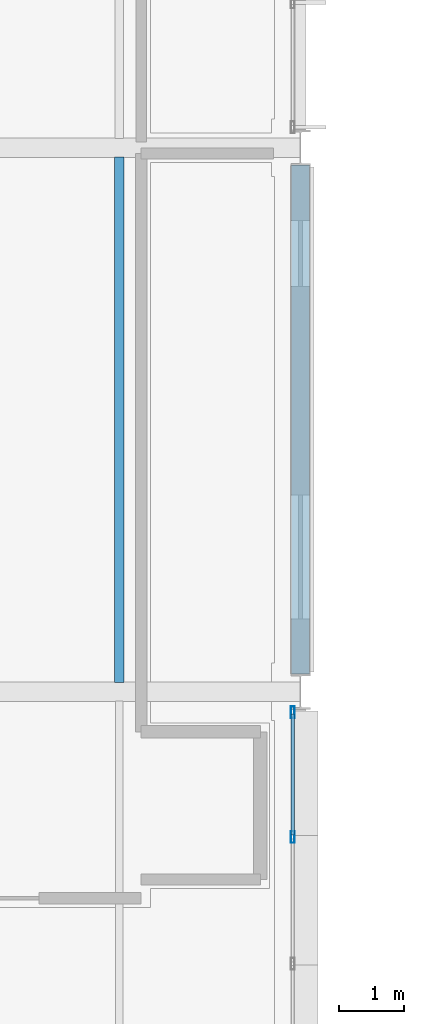
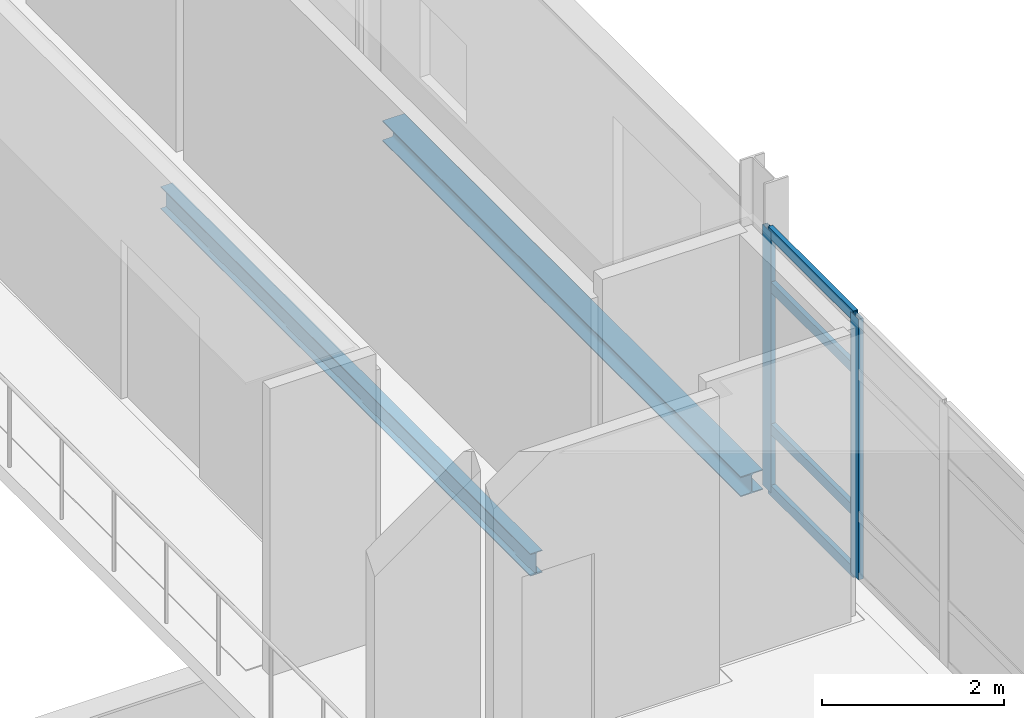
# One storey, part 33 of 131: 6 members, 2 beams, 1 element without a shape of its own.
"""IFC4 building model written with IfcOpenShell, lengths in metres."""

from ifc_helpers import new_model, si_unit, direction, frame, origin, origin_2d, place, context, subcontext, project, spatial, hollow_rectangle, i_section, extrude, material, material_profile, profile_set, type_object, element, aggregate, save


model = new_model("IFC4")

# Units and contexts
model_context = context("Model", 3, precision=1e-05, world=origin(), true_north=direction((0.0, 1.0)))
body_context = subcontext(model_context, "Body", "Model", "MODEL_VIEW")
ifc_project = project(units=[si_unit("LENGTHUNIT", "METRE"), si_unit("AREAUNIT", "SQUARE_METRE"), si_unit("VOLUMEUNIT", "CUBIC_METRE"), si_unit("PLANEANGLEUNIT", "RADIAN"), si_unit("MASSUNIT", "GRAM", prefix="KILO")], contexts=[model_context])

# Site, building, storey
site_placement = place(None, origin())
site = spatial("IfcSite", under=ifc_project, at=site_placement, CompositionType="ELEMENT")
building_placement = place(site_placement, origin())
building = spatial("IfcBuilding", under=site, at=building_placement, Name="Mersafa Astral City Hall", CompositionType="ELEMENT")
storey_placement = place(building_placement, frame((0.0, 0.0, 13.949951171875)))
storey = spatial("IfcBuildingStorey", under=building, at=storey_placement, Name="L03", CompositionType="ELEMENT", Elevation=13.949951171875)

# Curtain wall, members
ifc_material_1 = material(Name="Anodised bronze aluminium framing", Category="aluminium")
curtain_wall_type = type_object("IfcCurtainWallType", Name="ENV-CW-4", PredefinedType="USERDEFINED", material=ifc_material_1)
curtain_wall_placement = place(storey_placement, origin())
curtain_wall = element("IfcCurtainWall", 1, at=curtain_wall_placement, inside=storey, type_object=curtain_wall_type, Name="L03 Unitised solar curtain wall 153", ObjectType="UNITISED CURTAIN WALL", PredefinedType="USERDEFINED")
ifc_material_profile_1 = material_profile(ifc_material_1, hollow_rectangle(XDim=0.06005859375, YDim=0.179931640625, WallThickness=0.00390625, at=origin_2d()), Name="RHS 60x180x4")
ifc_profile_set_1 = profile_set([ifc_material_profile_1], Name="Anodised bronze aluminium framing")
member_type_1 = type_object("IfcMemberType", Name="ENV-CW-MUL-1", PredefinedType="MULLION", material=ifc_profile_set_1)
member_1_placement = place(storey_placement, frame((117.47998046875, 56.556396484375, -0.001953125), z_axis=(0.0, 0.0, 1.0), x_axis=(-1.0, 0.0, 0.0)))
member_1 = element("IfcMember", 2, at=member_1_placement, type_object=member_type_1, Name="CW-4 mullion 4", PredefinedType="MULLION", context=body_context, shape_type="SweptSolid", body=[
    extrude(hollow_rectangle(XDim=0.06005859375, YDim=0.179931640625, WallThickness=0.00390625, at=origin_2d()), origin(), (0.0, 0.0, 1.0), 3.489013671875),
])
member_2_placement = place(storey_placement, frame((117.47998046875, 58.48291015625, -0.001953125), z_axis=(0.0, 0.0, 1.0), x_axis=(-1.0, 0.0, 0.0)))
member_2 = element("IfcMember", 3, at=member_2_placement, type_object=member_type_1, Name="CW-4 mullion 5", PredefinedType="MULLION", context=body_context, shape_type="SweptSolid", body=[
    extrude(hollow_rectangle(XDim=0.06005859375, YDim=0.179931640625, WallThickness=0.00390625, at=origin_2d()), origin(), (0.0, 0.0, 1.0), 3.489013671875),
])
ifc_material_profile_2 = material_profile(ifc_material_1, hollow_rectangle(XDim=0.06005859375, YDim=0.139892578125, WallThickness=0.00390625, at=origin_2d()), Name="RHS 60x140x4")
ifc_profile_set_2 = profile_set([ifc_material_profile_2], Name="Anodised bronze aluminium framing")
member_type_2 = type_object("IfcMemberType", Name="ENV-CW-TRN-1", PredefinedType="USERDEFINED", material=ifc_profile_set_2)
member_3_placement = place(storey_placement, frame((117.47998046875, 56.58642578125, 0.028076171875), z_axis=(0.0, 1.0, 0.0), x_axis=(-1.0, 0.0, 0.0)))
member_3 = element("IfcMember", 4, at=member_3_placement, type_object=member_type_2, Name="CW-4 transom 4.1", ObjectType="TRANSOM", PredefinedType="USERDEFINED", context=body_context, shape_type="SweptSolid", body=[
    extrude(hollow_rectangle(XDim=0.06005859375, YDim=0.139892578125, WallThickness=0.00390625, at=origin_2d()), origin(), (0.0, 0.0, 1.0), 1.866455078125),
])
member_4_placement = place(storey_placement, frame((117.47998046875, 56.58642578125, 0.85009765625), z_axis=(0.0, 1.0, 0.0), x_axis=(-1.0, 0.0, 0.0)))
member_4 = element("IfcMember", 5, at=member_4_placement, type_object=member_type_2, Name="CW-4 transom 4.2", ObjectType="TRANSOM", PredefinedType="USERDEFINED", context=body_context, shape_type="SweptSolid", body=[
    extrude(hollow_rectangle(XDim=0.06005859375, YDim=0.139892578125, WallThickness=0.00390625, at=origin_2d()), origin(), (0.0, 0.0, 1.0), 1.866455078125),
])
member_5_placement = place(storey_placement, frame((117.47998046875, 56.58642578125, 2.75), z_axis=(0.0, 1.0, 0.0), x_axis=(-1.0, 0.0, 0.0)))
member_5 = element("IfcMember", 6, at=member_5_placement, type_object=member_type_2, Name="CW-4 transom 4.3", ObjectType="TRANSOM", PredefinedType="USERDEFINED", context=body_context, shape_type="SweptSolid", body=[
    extrude(hollow_rectangle(XDim=0.06005859375, YDim=0.139892578125, WallThickness=0.00390625, at=origin_2d()), origin(), (0.0, 0.0, 1.0), 1.866455078125),
])
member_6_placement = place(storey_placement, frame((117.47998046875, 56.58642578125, 3.45703125), z_axis=(0.0, 1.0, 0.0), x_axis=(-1.0, 0.0, 0.0)))
member_6 = element("IfcMember", 7, at=member_6_placement, type_object=member_type_2, Name="CW-4 transom 4.4", ObjectType="TRANSOM", PredefinedType="USERDEFINED", context=body_context, shape_type="SweptSolid", body=[
    extrude(hollow_rectangle(XDim=0.06005859375, YDim=0.139892578125, WallThickness=0.00390625, at=origin_2d()), origin(), (0.0, 0.0, 1.0), 1.866455078125),
])
aggregate(curtain_wall, [member_1, member_2, member_3, member_4, member_5, member_6])

# Beams
ifc_material_2 = material(Name="Steel S355", Category="steel")
ifc_material_profile_3 = material_profile(ifc_material_2, i_section(OverallWidth=0.14990234375, OverallDepth=0.300048828125, WebThickness=0.007080078125, FlangeThickness=0.0107421875, FilletRadius=0.014892578125, at=origin_2d()), Name="IPE 300")
ifc_profile_set_3 = profile_set([ifc_material_profile_3], Name="Steel S355")
beam_type_1 = type_object("IfcBeamType", Name="STR-BM-JOIST-IPE300", PredefinedType="JOIST", material=ifc_profile_set_3)
beam_1_placement = place(storey_placement, frame((114.800048828125, 58.945068359375, -0.349853515625), z_axis=(0.0, 1.0, 0.0), x_axis=(-1.0, 0.0, 0.0)))
element("IfcBeam", 8, at=beam_1_placement, inside=storey, type_object=beam_type_1, Name="L03 Composite secondary floor joist 615", PredefinedType="JOIST", context=body_context, shape_type="SweptSolid", body=[
    extrude(i_section(OverallWidth=0.14990234375, OverallDepth=0.300048828125, WebThickness=0.007080078125, FlangeThickness=0.0107421875, FilletRadius=0.014892578125, at=origin_2d()), origin(), (0.0, 0.0, 1.0), 8.10986328125),
])
ifc_material_profile_4 = material_profile(ifc_material_2, i_section(OverallWidth=0.280029296875, OverallDepth=0.27001953125, WebThickness=0.008056640625, FlangeThickness=0.012939453125, FilletRadius=0.02392578125, at=origin_2d()), Name="HEA 280")
ifc_profile_set_4 = profile_set([ifc_material_profile_4], Name="Steel S355")
beam_type_2 = type_object("IfcBeamType", Name="STR-BM-SPANDREL-HEA280", PredefinedType="SPANDREL", material=ifc_profile_set_4)
beam_2_placement = place(storey_placement, frame((117.60009765625, 59.070068359375, -0.3349609375), z_axis=(0.0, 1.0, 0.0), x_axis=(-1.0, 0.0, 0.0)))
element("IfcBeam", 9, at=beam_2_placement, inside=storey, type_object=beam_type_2, Name="L03 Primary girder Y 14-7", PredefinedType="SPANDREL", context=body_context, shape_type="SweptSolid", body=[
    extrude(i_section(OverallWidth=0.280029296875, OverallDepth=0.27001953125, WebThickness=0.008056640625, FlangeThickness=0.012939453125, FilletRadius=0.02392578125, at=origin_2d()), origin(), (0.0, 0.0, 1.0), 7.85986328125),
])

save(model, "model.ifc")
